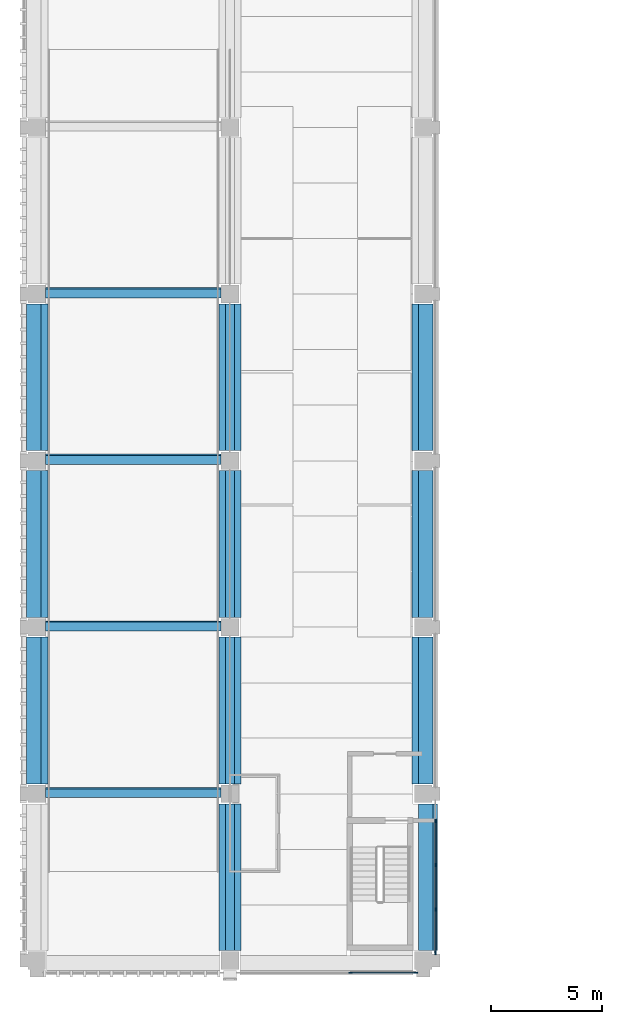
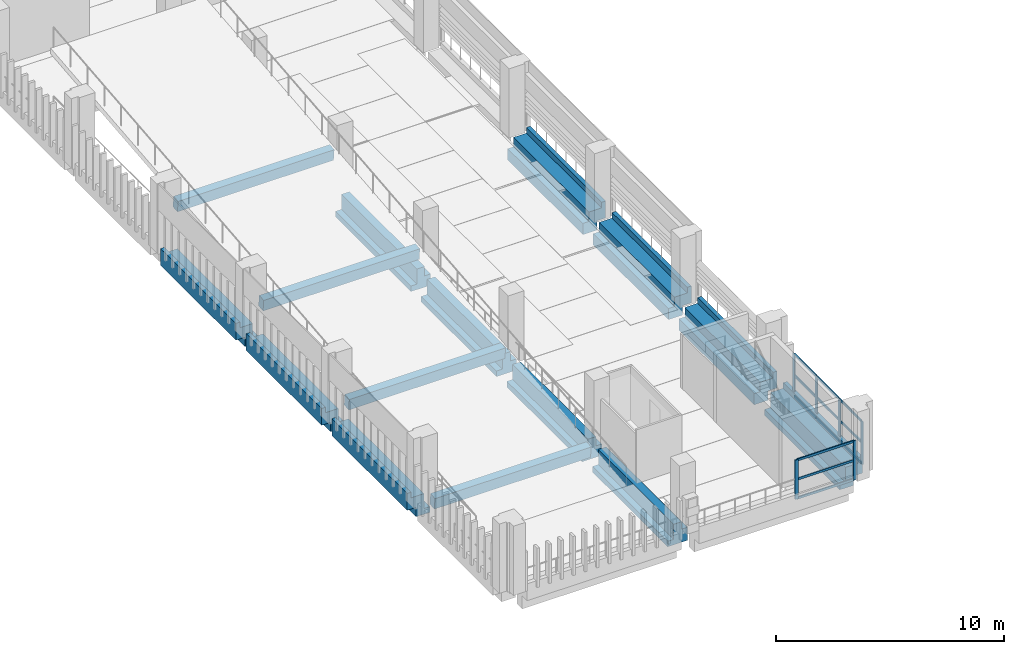
# One storey, part 2 of 61: 18 members, 15 beams, 2 elements without a shape of their own.
"""IFC4 building model written with IfcOpenShell, lengths in metres."""

from ifc_helpers import new_model, si_unit, direction, frame, origin, origin_2d, place, context, subcontext, project, spatial, polyline, rectangle, outline, extrude, material, layer, layer_set, material_profile, profile_set, type_object, element, aggregate, save


model = new_model("IFC4")

# Units and contexts
model_context = context("Model", 3, precision=1e-05, world=origin(), true_north=direction((0.0, 1.0)))
body_context = subcontext(model_context, "Body", "Model", "MODEL_VIEW")
ifc_project = project(units=[si_unit("LENGTHUNIT", "METRE"), si_unit("AREAUNIT", "SQUARE_METRE"), si_unit("VOLUMEUNIT", "CUBIC_METRE"), si_unit("PLANEANGLEUNIT", "RADIAN"), si_unit("MASSUNIT", "GRAM", prefix="KILO")], contexts=[model_context])

# Site, building, storey
site_placement = place(None, origin())
site = spatial("IfcSite", under=ifc_project, at=site_placement, CompositionType="ELEMENT")
building_placement = place(site_placement, origin())
building = spatial("IfcBuilding", under=site, at=building_placement, Name="Cour d'Honneur Mobility Palace", CompositionType="ELEMENT")
storey_placement = place(building_placement, frame((0.0, 0.0, 11.89990234375)))
storey = spatial("IfcBuildingStorey", under=building, at=storey_placement, Name="L03", CompositionType="ELEMENT", Elevation=11.89990234375)

# Curtain wall, members
ifc_material_1 = material(Name="Aluminium and glass", Category="aluminium")
ifc_layer = layer(ifc_material_1, 0.10009765625)
ifc_layer_set = layer_set([ifc_layer], Name="Aluminium and glass")
curtain_wall_type = type_object("IfcCurtainWallType", Name="Curtain wall run", PredefinedType="NOTDEFINED", material=ifc_layer_set)
curtain_wall_1_placement = place(storey_placement, origin())
curtain_wall_1 = element("IfcCurtainWall", 1, at=curtain_wall_1_placement, inside=storey, type_object=curtain_wall_type, Name="Curtain wall CW-157", PredefinedType="NOTDEFINED")
ifc_material_2 = material(Name="Aluminium", Category="aluminium")
ifc_material_profile_1 = material_profile(ifc_material_2, rectangle(XDim=0.06005859375, YDim=0.159912109375, at=origin_2d()), Name="Curtain wall mullion")
ifc_profile_set_1 = profile_set([ifc_material_profile_1], Name="Aluminium")
member_type_1 = type_object("IfcMemberType", Name="Curtain wall mullion", PredefinedType="MULLION", material=ifc_profile_set_1)
member_1_placement = place(storey_placement, frame((14.1298828125, -0.550048828125, 0.0), z_axis=(0.0, 0.0, 1.0), x_axis=(0.0, 1.0, 0.0)))
member_1 = element("IfcMember", 2, at=member_1_placement, type_object=member_type_1, Name="CW-157 mullion 1", PredefinedType="MULLION", context=body_context, shape_type="SweptSolid", body=[
    extrude(rectangle(XDim=0.06005859375, YDim=0.159912109375, at=origin_2d()), origin(), (0.0, 0.0, 1.0), 2.10009765625),
])
member_2_placement = place(storey_placement, frame((17.070068359375, -0.550048828125, 0.0), z_axis=(0.0, 0.0, 1.0), x_axis=(0.0, 1.0, 0.0)))
member_2 = element("IfcMember", 3, at=member_2_placement, type_object=member_type_1, Name="CW-157 mullion 2", PredefinedType="MULLION", context=body_context, shape_type="SweptSolid", body=[
    extrude(rectangle(XDim=0.06005859375, YDim=0.159912109375, at=origin_2d()), origin(), (0.0, 0.0, 1.0), 2.10009765625),
])

curtain_wall_2_placement = place(storey_placement, origin())
curtain_wall_2 = element("IfcCurtainWall", 4, at=curtain_wall_2_placement, inside=storey, type_object=curtain_wall_type, Name="Curtain wall CW-158", PredefinedType="NOTDEFINED")
member_3_placement = place(storey_placement, frame((17.949951171875, 0.330078125, 0.0), z_axis=(0.0, 0.0, 1.0), x_axis=(-1.0, 0.0, 0.0)))
member_3 = element("IfcMember", 5, at=member_3_placement, type_object=member_type_1, Name="CW-158 mullion 1", PredefinedType="MULLION", context=body_context, shape_type="SweptSolid", body=[
    extrude(rectangle(XDim=0.06005859375, YDim=0.159912109375, at=origin_2d()), origin(), (0.0, 0.0, 1.0), 2.300048828125),
])
member_4_placement = place(storey_placement, frame((17.949951171875, 2.300048828125, 0.0), z_axis=(0.0, 0.0, 1.0), x_axis=(-1.0, 0.0, 0.0)))
member_4 = element("IfcMember", 6, at=member_4_placement, type_object=member_type_1, Name="CW-158 mullion 2", PredefinedType="MULLION", context=body_context, shape_type="SweptSolid", body=[
    extrude(rectangle(XDim=0.06005859375, YDim=0.159912109375, at=origin_2d()), origin(), (0.0, 0.0, 1.0), 2.300048828125),
])
member_5_placement = place(storey_placement, frame((17.949951171875, 4.300048828125, 0.0), z_axis=(0.0, 0.0, 1.0), x_axis=(-1.0, 0.0, 0.0)))
member_5 = element("IfcMember", 7, at=member_5_placement, type_object=member_type_1, Name="CW-158 mullion 3", PredefinedType="MULLION", context=body_context, shape_type="SweptSolid", body=[
    extrude(rectangle(XDim=0.06005859375, YDim=0.159912109375, at=origin_2d()), origin(), (0.0, 0.0, 1.0), 2.300048828125),
])
member_6_placement = place(storey_placement, frame((17.949951171875, 6.27001953125, 0.0), z_axis=(0.0, 0.0, 1.0), x_axis=(-1.0, 0.0, 0.0)))
member_6 = element("IfcMember", 8, at=member_6_placement, type_object=member_type_1, Name="CW-158 mullion 4", PredefinedType="MULLION", context=body_context, shape_type="SweptSolid", body=[
    extrude(rectangle(XDim=0.06005859375, YDim=0.159912109375, at=origin_2d()), origin(), (0.0, 0.0, 1.0), 2.300048828125),
])

# Member
ifc_material_3 = material(Name="Aluminium", Category="aluminium")
ifc_material_profile_2 = material_profile(ifc_material_3, rectangle(XDim=0.06005859375, YDim=0.1201171875, at=origin_2d()), Name="Curtain wall transom")
ifc_profile_set_2 = profile_set([ifc_material_profile_2], Name="Aluminium")
member_type_2 = type_object("IfcMemberType", Name="Curtain wall transom", PredefinedType="USERDEFINED", material=ifc_profile_set_2)
member_7_placement = place(storey_placement, frame((14.159912109375, -0.550048828125, 0.030029296875), z_axis=(1.0, 0.0, 0.0), x_axis=(0.0, 1.0, 0.0)))
member_7 = element("IfcMember", 9, at=member_7_placement, type_object=member_type_2, Name="CW-157 transom 1.1", ObjectType="TRANSOM", PredefinedType="USERDEFINED", context=body_context, shape_type="SweptSolid", body=[
    extrude(rectangle(XDim=0.06005859375, YDim=0.1201171875, at=origin_2d()), origin(), (0.0, 0.0, 1.0), 2.880126953125),
])

member_8_placement = place(storey_placement, frame((14.159912109375, -0.550048828125, 1.050048828125), z_axis=(1.0, 0.0, 0.0), x_axis=(0.0, 1.0, 0.0)))
member_8 = element("IfcMember", 10, at=member_8_placement, type_object=member_type_2, Name="CW-157 transom 1.2", ObjectType="TRANSOM", PredefinedType="USERDEFINED", context=body_context, shape_type="SweptSolid", body=[
    extrude(rectangle(XDim=0.06005859375, YDim=0.1201171875, at=origin_2d()), origin(), (0.0, 0.0, 1.0), 2.880126953125),
])

member_9_placement = place(storey_placement, frame((14.159912109375, -0.550048828125, 2.070068359375), z_axis=(1.0, 0.0, 0.0), x_axis=(0.0, 1.0, 0.0)))
member_9 = element("IfcMember", 11, at=member_9_placement, type_object=member_type_2, Name="CW-157 transom 1.3", ObjectType="TRANSOM", PredefinedType="USERDEFINED", context=body_context, shape_type="SweptSolid", body=[
    extrude(rectangle(XDim=0.06005859375, YDim=0.1201171875, at=origin_2d()), origin(), (0.0, 0.0, 1.0), 2.880126953125),
])

aggregate(curtain_wall_1, [member_1, member_2, member_7, member_8, member_9])

member_10_placement = place(storey_placement, frame((17.949951171875, 0.360107421875, 0.030029296875), z_axis=(0.0, 1.0, 0.0), x_axis=(-1.0, 0.0, 0.0)))
member_10 = element("IfcMember", 12, at=member_10_placement, type_object=member_type_2, Name="CW-158 transom 1.1", ObjectType="TRANSOM", PredefinedType="USERDEFINED", context=body_context, shape_type="SweptSolid", body=[
    extrude(rectangle(XDim=0.06005859375, YDim=0.1201171875, at=origin_2d()), origin(), (0.0, 0.0, 1.0), 1.909912109375),
])

member_11_placement = place(storey_placement, frame((17.949951171875, 0.360107421875, 1.150146484375), z_axis=(0.0, 1.0, 0.0), x_axis=(-1.0, 0.0, 0.0)))
member_11 = element("IfcMember", 13, at=member_11_placement, type_object=member_type_2, Name="CW-158 transom 1.2", ObjectType="TRANSOM", PredefinedType="USERDEFINED", context=body_context, shape_type="SweptSolid", body=[
    extrude(rectangle(XDim=0.06005859375, YDim=0.1201171875, at=origin_2d()), origin(), (0.0, 0.0, 1.0), 1.909912109375),
])

member_12_placement = place(storey_placement, frame((17.949951171875, 0.360107421875, 2.27001953125), z_axis=(0.0, 1.0, 0.0), x_axis=(-1.0, 0.0, 0.0)))
member_12 = element("IfcMember", 14, at=member_12_placement, type_object=member_type_2, Name="CW-158 transom 1.3", ObjectType="TRANSOM", PredefinedType="USERDEFINED", context=body_context, shape_type="SweptSolid", body=[
    extrude(rectangle(XDim=0.06005859375, YDim=0.1201171875, at=origin_2d()), origin(), (0.0, 0.0, 1.0), 1.909912109375),
])

member_13_placement = place(storey_placement, frame((17.949951171875, 2.330078125, 0.030029296875), z_axis=(0.0, 1.0, 0.0), x_axis=(-1.0, 0.0, 0.0)))
member_13 = element("IfcMember", 15, at=member_13_placement, type_object=member_type_2, Name="CW-158 transom 2.1", ObjectType="TRANSOM", PredefinedType="USERDEFINED", context=body_context, shape_type="SweptSolid", body=[
    extrude(rectangle(XDim=0.06005859375, YDim=0.1201171875, at=origin_2d()), origin(), (0.0, 0.0, 1.0), 1.93994140625),
])

member_14_placement = place(storey_placement, frame((17.949951171875, 2.330078125, 1.150146484375), z_axis=(0.0, 1.0, 0.0), x_axis=(-1.0, 0.0, 0.0)))
member_14 = element("IfcMember", 16, at=member_14_placement, type_object=member_type_2, Name="CW-158 transom 2.2", ObjectType="TRANSOM", PredefinedType="USERDEFINED", context=body_context, shape_type="SweptSolid", body=[
    extrude(rectangle(XDim=0.06005859375, YDim=0.1201171875, at=origin_2d()), origin(), (0.0, 0.0, 1.0), 1.93994140625),
])

member_15_placement = place(storey_placement, frame((17.949951171875, 2.330078125, 2.27001953125), z_axis=(0.0, 1.0, 0.0), x_axis=(-1.0, 0.0, 0.0)))
member_15 = element("IfcMember", 17, at=member_15_placement, type_object=member_type_2, Name="CW-158 transom 2.3", ObjectType="TRANSOM", PredefinedType="USERDEFINED", context=body_context, shape_type="SweptSolid", body=[
    extrude(rectangle(XDim=0.06005859375, YDim=0.1201171875, at=origin_2d()), origin(), (0.0, 0.0, 1.0), 1.93994140625),
])

member_16_placement = place(storey_placement, frame((17.949951171875, 4.330078125, 0.030029296875), z_axis=(0.0, 1.0, 0.0), x_axis=(-1.0, 0.0, 0.0)))
member_16 = element("IfcMember", 18, at=member_16_placement, type_object=member_type_2, Name="CW-158 transom 3.1", ObjectType="TRANSOM", PredefinedType="USERDEFINED", context=body_context, shape_type="SweptSolid", body=[
    extrude(rectangle(XDim=0.06005859375, YDim=0.1201171875, at=origin_2d()), origin(), (0.0, 0.0, 1.0), 1.909912109375),
])

member_17_placement = place(storey_placement, frame((17.949951171875, 4.330078125, 1.150146484375), z_axis=(0.0, 1.0, 0.0), x_axis=(-1.0, 0.0, 0.0)))
member_17 = element("IfcMember", 19, at=member_17_placement, type_object=member_type_2, Name="CW-158 transom 3.2", ObjectType="TRANSOM", PredefinedType="USERDEFINED", context=body_context, shape_type="SweptSolid", body=[
    extrude(rectangle(XDim=0.06005859375, YDim=0.1201171875, at=origin_2d()), origin(), (0.0, 0.0, 1.0), 1.909912109375),
])

member_18_placement = place(storey_placement, frame((17.949951171875, 4.330078125, 2.27001953125), z_axis=(0.0, 1.0, 0.0), x_axis=(-1.0, 0.0, 0.0)))
member_18 = element("IfcMember", 20, at=member_18_placement, type_object=member_type_2, Name="CW-158 transom 3.3", ObjectType="TRANSOM", PredefinedType="USERDEFINED", context=body_context, shape_type="SweptSolid", body=[
    extrude(rectangle(XDim=0.06005859375, YDim=0.1201171875, at=origin_2d()), origin(), (0.0, 0.0, 1.0), 1.909912109375),
])

aggregate(curtain_wall_2, [member_3, member_4, member_5, member_6, member_10, member_11, member_12, member_13, member_14, member_15, member_16, member_17, member_18])

# Beams
ifc_material_4 = material(Name="Concrete C45", Category="concrete")
ifc_material_profile_3 = material_profile(ifc_material_4, outline(polyline([(0.5, -1.10009765625), (0.5, -0.800048828125), (0.199951171875, -0.800048828125), (0.199951171875, 0.0), (-0.199951171875, 0.0), (-0.199951171875, -0.5), (-0.5, -0.5), (-0.5, -1.10009765625), (0.5, -1.10009765625)])), Name="Inverted Tee Beam 400x1100 ledges 300/600 plain")
ifc_profile_set_3 = profile_set([ifc_material_profile_3], Name="Concrete C45")
beam_type_1 = type_object("IfcBeamType", Name="Inverted Tee Beam 400x1100 ledges 300/600 plain", PredefinedType="T_BEAM", material=ifc_profile_set_3)
for number, where, z_axis, x_axis, name in (
    (21, (8.699951171875, 7.949951171875, 0.0), (0.0, 1.0, 0.0), (-1.0, 0.0, 0.0), "Precast beam B11 B-C L03"),
    (22, (8.699951171875, 15.449951171875, 0.0), (0.0, 1.0, 0.0), (-1.0, 0.0, 0.0), "Precast beam B11 C-D L03"),
    (23, (8.699951171875, 22.949951171875, 0.0), (0.0, 1.0, 0.0), (-1.0, 0.0, 0.0), "Precast beam B11 D-E L03"),
):
    element("IfcBeam", number, at=place(storey_placement, frame(where, z_axis=z_axis, x_axis=x_axis)), inside=storey, type_object=beam_type_1, Name=name, PredefinedType="T_BEAM", context=body_context, shape_type="SweptSolid", body=[
        extrude(outline(polyline([(0.5, -1.10009765625), (0.5, -0.800048828125), (0.199951171875, -0.800048828125), (0.199951171875, 0.0), (-0.199951171875, 0.0), (-0.199951171875, -0.5), (-0.5, -0.5), (-0.5, -1.10009765625), (0.5, -1.10009765625)])), origin(), (0.0, 0.0, 1.0), 6.60009765625),
    ])
ifc_material_5 = material(Name="Concrete C45", Category="concrete")
ifc_material_profile_4 = material_profile(ifc_material_5, outline(polyline([(0.5, -1.10009765625), (0.5, -0.800048828125), (0.199951171875, -0.800048828125), (0.199951171875, 0.0), (-0.199951171875, 0.0), (-0.199951171875, -0.39990234375), (-0.5, -0.39990234375), (-0.5, -1.10009765625), (0.5, -1.10009765625)])), Name="Inverted Tee Beam 400x1100 ledges 300/700 plain")
ifc_profile_set_4 = profile_set([ifc_material_profile_4], Name="Concrete C45")
beam_type_2 = type_object("IfcBeamType", Name="Inverted Tee Beam 400x1100 ledges 300/700 plain", PredefinedType="T_BEAM", material=ifc_profile_set_4)
beam_1_placement = place(storey_placement, frame((8.699951171875, 0.449951171875, 0.0), z_axis=(0.0, 1.0, 0.0), x_axis=(-1.0, 0.0, 0.0)))
element("IfcBeam", 24, at=beam_1_placement, inside=storey, type_object=beam_type_2, Name="Precast beam B10 A-B L03", PredefinedType="T_BEAM", context=body_context, shape_type="SweptSolid", body=[
    extrude(outline(polyline([(0.5, -1.10009765625), (0.5, -0.800048828125), (0.199951171875, -0.800048828125), (0.199951171875, 0.0), (-0.199951171875, 0.0), (-0.199951171875, -0.39990234375), (-0.5, -0.39990234375), (-0.5, -1.10009765625), (0.5, -1.10009765625)])), origin(), (0.0, 0.0, 1.0), 6.60009765625),
])
ifc_material_6 = material(Name="Concrete C45", Category="concrete")
ifc_material_profile_5 = material_profile(ifc_material_6, outline(polyline([(0.5, -1.10009765625), (0.5, -0.800048828125), (0.199951171875, -0.800048828125), (0.199951171875, 0.0), (-0.199951171875, 0.0), (-0.449951171875, 0.0), (-0.449951171875, 0.300048828125), (-0.64990234375, 0.300048828125), (-0.64990234375, -0.60009765625), (-0.199951171875, -0.60009765625), (-0.199951171875, -1.10009765625), (0.5, -1.10009765625)])), Name="Ledger Beam 400x1100 ledge left 300 facade right")
ifc_profile_set_5 = profile_set([ifc_material_profile_5], Name="Concrete C45")
beam_type_3 = type_object("IfcBeamType", Name="Ledger Beam 400x1100 ledge left 300 facade right", PredefinedType="BEAM", material=ifc_profile_set_5)
beam_2_placement = place(storey_placement, frame((17.39990234375, 0.449951171875, 0.0), z_axis=(0.0, 1.0, 0.0), x_axis=(-1.0, 0.0, 0.0)))
element("IfcBeam", 25, at=beam_2_placement, inside=storey, type_object=beam_type_3, Name="Precast beam B3 A-B L03", PredefinedType="BEAM", context=body_context, shape_type="SweptSolid", body=[
    extrude(outline(polyline([(0.5, -1.10009765625), (0.5, -0.800048828125), (0.199951171875, -0.800048828125), (0.199951171875, 0.0), (-0.199951171875, 0.0), (-0.449951171875, 0.0), (-0.449951171875, 0.300048828125), (-0.64990234375, 0.300048828125), (-0.64990234375, -0.60009765625), (-0.199951171875, -0.60009765625), (-0.199951171875, -1.10009765625), (0.5, -1.10009765625)])), origin(), (0.0, 0.0, 1.0), 6.60009765625),
])
ifc_material_7 = material(Name="Concrete C45", Category="concrete")
ifc_material_profile_6 = material_profile(ifc_material_7, outline(polyline([(0.5, -1.10009765625), (0.5, -0.5), (0.199951171875, -0.5), (0.199951171875, 0.0), (-0.199951171875, 0.0), (-0.449951171875, 0.0), (-0.449951171875, 0.300048828125), (-0.64990234375, 0.300048828125), (-0.64990234375, -0.60009765625), (-0.199951171875, -0.60009765625), (-0.199951171875, -1.10009765625), (0.5, -1.10009765625)])), Name="Ledger Beam 400x1100 ledge left 600 facade right")
ifc_profile_set_6 = profile_set([ifc_material_profile_6], Name="Concrete C45")
beam_type_4 = type_object("IfcBeamType", Name="Ledger Beam 400x1100 ledge left 600 facade right", PredefinedType="BEAM", material=ifc_profile_set_6)
for number, where, z_axis, x_axis, name in (
    (26, (17.39990234375, 7.949951171875, 0.0), (0.0, 1.0, 0.0), (-1.0, 0.0, 0.0), "Precast beam B12 B-C L03"),
    (27, (17.39990234375, 15.449951171875, 0.0), (0.0, 1.0, 0.0), (-1.0, 0.0, 0.0), "Precast beam B12 C-D L03"),
    (28, (17.39990234375, 22.949951171875, 0.0), (0.0, 1.0, 0.0), (-1.0, 0.0, 0.0), "Precast beam B12 D-E L03"),
):
    element("IfcBeam", number, at=place(storey_placement, frame(where, z_axis=z_axis, x_axis=x_axis)), inside=storey, type_object=beam_type_4, Name=name, PredefinedType="BEAM", context=body_context, shape_type="SweptSolid", body=[
        extrude(outline(polyline([(0.5, -1.10009765625), (0.5, -0.5), (0.199951171875, -0.5), (0.199951171875, 0.0), (-0.199951171875, 0.0), (-0.449951171875, 0.0), (-0.449951171875, 0.300048828125), (-0.64990234375, 0.300048828125), (-0.64990234375, -0.60009765625), (-0.199951171875, -0.60009765625), (-0.199951171875, -1.10009765625), (0.5, -1.10009765625)])), origin(), (0.0, 0.0, 1.0), 6.60009765625),
    ])
ifc_material_8 = material(Name="Concrete C45", Category="concrete")
ifc_material_profile_7 = material_profile(ifc_material_8, outline(polyline([(0.199951171875, -1.10009765625), (0.199951171875, -0.60009765625), (0.64990234375, -0.60009765625), (0.64990234375, 0.300048828125), (0.449951171875, 0.300048828125), (0.449951171875, 0.0), (0.199951171875, 0.0), (-0.199951171875, 0.0), (-0.199951171875, -0.800048828125), (-0.5, -0.800048828125), (-0.5, -1.10009765625), (0.199951171875, -1.10009765625)])), Name="Ledger Beam 400x1100 ledge right 300 facade left")
ifc_profile_set_7 = profile_set([ifc_material_profile_7], Name="Concrete C45")
beam_type_5 = type_object("IfcBeamType", Name="Ledger Beam 400x1100 ledge right 300 facade left", PredefinedType="BEAM", material=ifc_profile_set_7)
for number, where, z_axis, x_axis, name in (
    (29, (0.0, 7.949951171875, 0.0), (0.0, 1.0, 0.0), (-1.0, 0.0, 0.0), "Precast beam B6 B-C L03"),
    (30, (0.0, 15.449951171875, 0.0), (0.0, 1.0, 0.0), (-1.0, 0.0, 0.0), "Precast beam B6 C-D L03"),
    (31, (0.0, 22.949951171875, 0.0), (0.0, 1.0, 0.0), (-1.0, 0.0, 0.0), "Precast beam B6 D-E L03"),
):
    element("IfcBeam", number, at=place(storey_placement, frame(where, z_axis=z_axis, x_axis=x_axis)), inside=storey, type_object=beam_type_5, Name=name, PredefinedType="BEAM", context=body_context, shape_type="SweptSolid", body=[
        extrude(outline(polyline([(0.199951171875, -1.10009765625), (0.199951171875, -0.60009765625), (0.64990234375, -0.60009765625), (0.64990234375, 0.300048828125), (0.449951171875, 0.300048828125), (0.449951171875, 0.0), (0.199951171875, 0.0), (-0.199951171875, 0.0), (-0.199951171875, -0.800048828125), (-0.5, -0.800048828125), (-0.5, -1.10009765625), (0.199951171875, -1.10009765625)])), origin(), (0.0, 0.0, 1.0), 6.60009765625),
    ])
ifc_material_9 = material(Name="Concrete C40", Category="concrete")
ifc_material_profile_8 = material_profile(ifc_material_9, rectangle(XDim=0.39990234375, YDim=0.60009765625, at=origin_2d()), Name="Ramp cross beam 400x600")
ifc_profile_set_8 = profile_set([ifc_material_profile_8], Name="Concrete C40")
beam_type_6 = type_object("IfcBeamType", Name="Ramp cross beam 400x600", PredefinedType="BEAM", material=ifc_profile_set_8)
for number, where, z_axis, x_axis, name in (
    (32, (0.39990234375, 7.559814453125, -0.246826171875), (1.0, 0.0, 0.0), (0.0, 0.995037190449, 0.099503716633), "Ramp cross beam SW.R3-1"),
    (33, (0.39990234375, 15.059814453125, 0.503173828125), (1.0, 0.0, 0.0), (0.0, 0.995037190449, 0.099503716633), "Ramp cross beam SW.R3-2"),
    (34, (0.39990234375, 22.559814453125, 1.253173828125), (1.0, 0.0, 0.0), (0.0, 0.995037190449, 0.099503716633), "Ramp cross beam SW.R3-3"),
    (35, (0.39990234375, 30.059814453125, 2.003173828125), (1.0, 0.0, 0.0), (0.0, 0.995037190449, 0.099503716633), "Ramp cross beam SW.R3-4"),
):
    element("IfcBeam", number, at=place(storey_placement, frame(where, z_axis=z_axis, x_axis=x_axis)), inside=storey, type_object=beam_type_6, Name=name, PredefinedType="BEAM", context=body_context, shape_type="SweptSolid", body=[
        extrude(rectangle(XDim=0.39990234375, YDim=0.60009765625, at=origin_2d()), origin(), (0.0, 0.0, 1.0), 7.900146484375),
    ])

save(model, "model.ifc")
